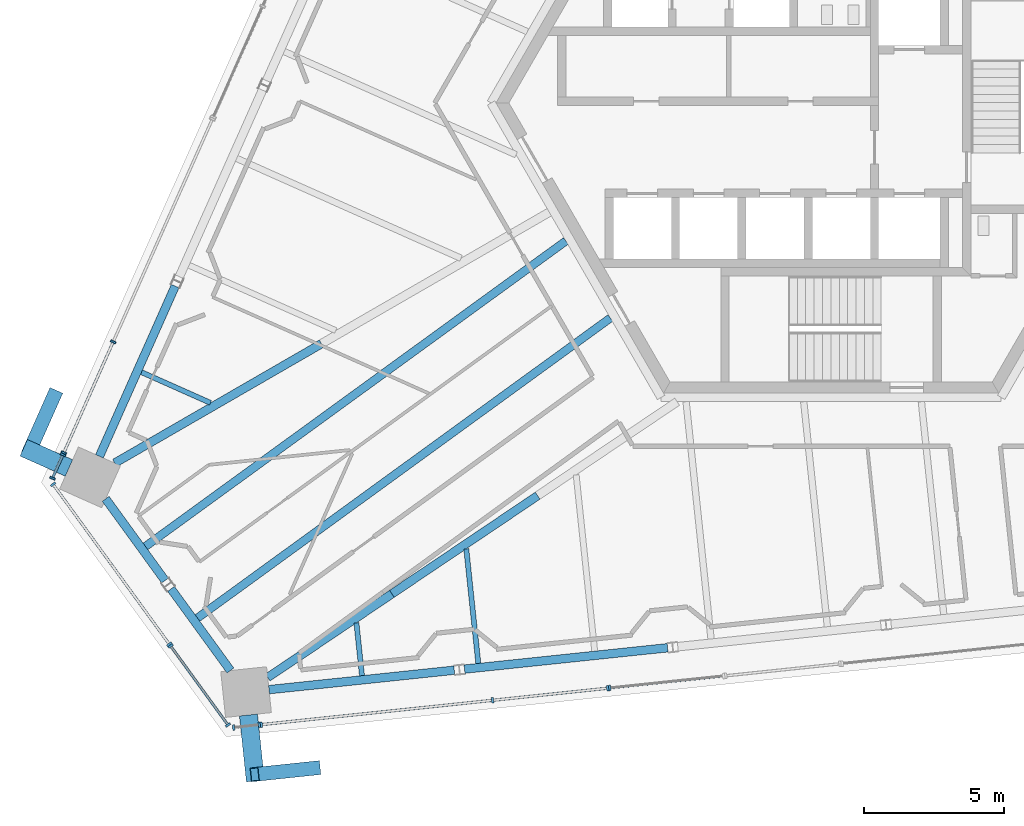
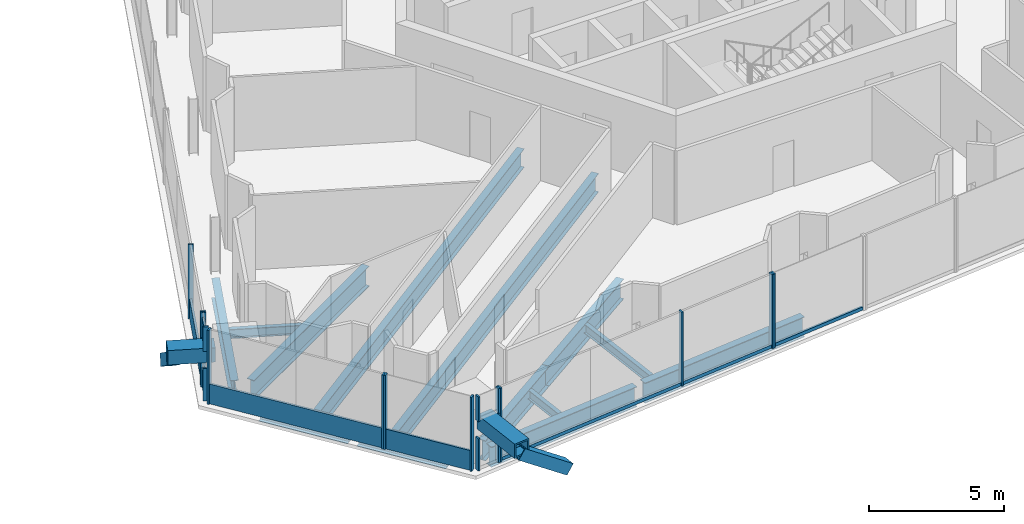
# One storey, part 4 of 26: 30 members, 13 beams, 9 elements without a shape of their own.
"""IFC4 building model written with IfcOpenShell, lengths in metres."""

from ifc_helpers import new_model, si_unit, direction, frame, origin, origin_2d, place, context, subcontext, project, spatial, rectangle, hollow_rectangle, i_section, extrude, source, transform, mapped, material, material_profile, profile_set, type_object, element, aggregate, save


model = new_model("IFC4")

# Units and contexts
model_context = context("Model", 3, precision=1e-05, world=origin(), true_north=direction((0.0, 1.0)))
body_context = subcontext(model_context, "Body", "Model", "MODEL_VIEW")
ifc_project = project(units=[si_unit("LENGTHUNIT", "METRE"), si_unit("AREAUNIT", "SQUARE_METRE"), si_unit("VOLUMEUNIT", "CUBIC_METRE"), si_unit("PLANEANGLEUNIT", "RADIAN"), si_unit("MASSUNIT", "GRAM", prefix="KILO")], contexts=[model_context])

# Site, building, storey
site_placement = place(None, origin())
site = spatial("IfcSite", under=ifc_project, at=site_placement, CompositionType="ELEMENT")
building_placement = place(site_placement, origin())
building = spatial("IfcBuilding", under=site, at=building_placement, Name="Triune Harvest Tower", CompositionType="ELEMENT")
storey_placement = place(building_placement, frame((0.0, 0.0, 252.10009765625)))
storey = spatial("IfcBuildingStorey", under=building, at=storey_placement, Name="L66", CompositionType="ELEMENT", Elevation=252.10009765625)

# Member
ifc_material_1 = material(Name="Steel ASTM A572 Gr 50", Category="steel")
ifc_material_profile_1 = material_profile(ifc_material_1, hollow_rectangle(XDim=0.5, YDim=0.5, WallThickness=0.030029296875, at=origin_2d()), Name="Box 500x500x30")
ifc_profile_set_1 = profile_set([ifc_material_profile_1], Name="Steel ASTM A572 Gr 50")
member_type_1 = type_object("IfcMemberType", Name="BR-3 Brace Box 500x500x30", PredefinedType="BRACE", material=ifc_profile_set_1)
member_1_placement = place(storey_placement, frame((-27.796875, -10.425048828125, 0.0), z_axis=(-0.330411003582, -0.741988188479, 0.5833370354), x_axis=(0.913519572994, -0.40679477597, 0.0)))
element("IfcMember", 1, at=member_1_placement, inside=storey, type_object=member_type_1, Name="brace/B6-F3/d1/10", PredefinedType="BRACE", context=body_context, shape_type="SweptSolid", body=[
    extrude(hollow_rectangle(XDim=0.5, YDim=0.5, WallThickness=0.030029296875, at=origin_2d()), origin(), (0.0, 0.0, 1.0), 2.71923828125),
])

# Curtain wall, members
ifc_material_2 = material(Name="Aluminium bronze anodised", Category="aluminium")
curtain_wall_type_1 = type_object("IfcCurtainWallType", Name="CW-10 Balcony window wall with insulated spandrel infill", PredefinedType="NOTDEFINED", material=ifc_material_2)
curtain_wall_1_placement = place(storey_placement, origin())
curtain_wall_1 = element("IfcCurtainWall", 2, at=curtain_wall_1_placement, inside=storey, type_object=curtain_wall_type_1, Name="CW-10 B6-F5 L66 run 201")
ifc_material_3 = material(Name="Aluminium bronze anodised", Category="aluminium")
ifc_material_profile_2 = material_profile(ifc_material_3, rectangle(XDim=0.090087890625, YDim=0.14990234375, at=origin_2d()), Name="TR-6 transom 90 x 150")
ifc_profile_set_2 = profile_set([ifc_material_profile_2], Name="Aluminium bronze anodised")
member_type_2 = type_object("IfcMemberType", Name="TR-6 transom 90 x 150", PredefinedType="USERDEFINED", material=ifc_profile_set_2)
member_2_placement = place(storey_placement, frame((-20.36376953125, -22.25390625, 0.074951171875), z_axis=(0.994520687347, 0.104539956183, 0.0), x_axis=(-0.104539956183, 0.994520687347, 0.0)))
member_2 = element("IfcMember", 3, at=member_2_placement, type_object=member_type_2, Name="CW-10 transom B6-F5 201.1", ObjectType="TRANSOM", PredefinedType="USERDEFINED", context=body_context, shape_type="SweptSolid", body=[
    extrude(rectangle(XDim=0.090087890625, YDim=0.14990234375, at=origin_2d()), origin(), (0.0, 0.0, 1.0), 8.24853515625),
])
member_3_placement = place(storey_placement, frame((-12.085693359375, -21.3837890625, 0.074951171875), z_axis=(0.994526151319, 0.104487962672, 0.0), x_axis=(-0.104487962672, 0.994526151319, 0.0)))
member_3 = element("IfcMember", 4, at=member_3_placement, type_object=member_type_2, Name="CW-10 transom B6-F5 201.2", ObjectType="TRANSOM", PredefinedType="USERDEFINED", context=body_context, shape_type="SweptSolid", body=[
    extrude(rectangle(XDim=0.090087890625, YDim=0.14990234375, at=origin_2d()), origin(), (0.0, 0.0, 1.0), 4.06787109375),
])

# Beams
ifc_material_4 = material(Name="Steel ASTM A992 Gr 50", Category="steel")
ifc_material_profile_3 = material_profile(ifc_material_4, i_section(OverallWidth=0.3046875, OverallDepth=0.914306640625, WebThickness=0.0166015625, FlangeThickness=0.02587890625, at=origin_2d()), Name="W36x160")
ifc_profile_set_3 = profile_set([ifc_material_profile_3], Name="Steel ASTM A992 Gr 50")
beam_type_1 = type_object("IfcBeamType", Name="HG-3 Hip girder W36x160", PredefinedType="BEAM", material=ifc_profile_set_3)
shared_shape_1 = source(origin(), body_context, "Body", "SweptSolid", [
    extrude(i_section(OverallWidth=0.3046875, OverallDepth=0.914306640625, WebThickness=0.0166015625, FlangeThickness=0.02587890625, at=origin_2d()), origin(), (0.0, 0.0, 1.0), 6.293701171875),
])
beam_1_placement = place(storey_placement, frame((-15.72802734375, -17.576904296875, -0.6171875), z_axis=(0.829391075311, 0.558668456416, 0.0), x_axis=(-0.558668456416, 0.829391075311, 0.0)))
element("IfcBeam", 5, at=beam_1_placement, inside=storey, type_object=beam_type_1, Name="beam/L66/HG8", PredefinedType="BEAM", context=body_context, shape_type="MappedRepresentation", body=[
    mapped(shared_shape_1, transform((0.0, 0.0, 0.0), scale=1.0)),
])
ifc_material_5 = material(Name="Steel ASTM A992 Gr 50", Category="steel")
ifc_material_profile_4 = material_profile(ifc_material_5, i_section(OverallWidth=0.3046875, OverallDepth=0.914306640625, WebThickness=0.0166015625, FlangeThickness=0.02587890625, at=origin_2d()), Name="W36x160")
ifc_profile_set_4 = profile_set([ifc_material_profile_4], Name="Steel ASTM A992 Gr 50")
beam_type_2 = type_object("IfcBeamType", Name="SB-1 Spandrel beam W36x160", PredefinedType="SPANDREL", material=ifc_profile_set_4)
shared_shape_2 = source(origin(), body_context, "Body", "SweptSolid", [
    extrude(i_section(OverallWidth=0.3046875, OverallDepth=0.914306640625, WebThickness=0.0166015625, FlangeThickness=0.02587890625, at=origin_2d()), origin(), (0.0, 0.0, 1.0), 6.67041015625),
])
beam_2_placement = place(storey_placement, frame((-20.127685546875, -21.007080078125, -0.6171875), z_axis=(0.994521485501, 0.104532362822, 0.0), x_axis=(-0.104532362822, 0.994521485501, 0.0)))
element("IfcBeam", 6, at=beam_2_placement, inside=storey, type_object=beam_type_2, Name="beam/L66/SB17", PredefinedType="SPANDREL", context=body_context, shape_type="MappedRepresentation", body=[
    mapped(shared_shape_2, transform((0.0, 0.0, 0.0), scale=1.0)),
])
shared_shape_3 = source(origin(), body_context, "Body", "SweptSolid", [
    extrude(i_section(OverallWidth=0.3046875, OverallDepth=0.914306640625, WebThickness=0.0166015625, FlangeThickness=0.02587890625, at=origin_2d()), origin(), (0.0, 0.0, 1.0), 7.31103515625),
])
beam_3_placement = place(storey_placement, frame((-13.127685546875, -20.271240234375, -0.6171875), z_axis=(0.994522639393, 0.104521384101, 0.0), x_axis=(-0.104521384101, 0.994522639393, 0.0)))
element("IfcBeam", 7, at=beam_3_placement, inside=storey, type_object=beam_type_2, Name="beam/L66/SB18", PredefinedType="SPANDREL", context=body_context, shape_type="MappedRepresentation", body=[
    mapped(shared_shape_3, transform((0.0, 0.0, 0.0), scale=1.0)),
])
shared_shape_4 = source(origin(), body_context, "Body", "SweptSolid", [
    extrude(i_section(OverallWidth=0.3046875, OverallDepth=0.914306640625, WebThickness=0.0166015625, FlangeThickness=0.02587890625, at=origin_2d()), origin(), (0.0, 0.0, 1.0), 3.614990234375),
])
for number, where, z_axis, x_axis, name in (
    (8, (-25.974365234375, -14.175537109375, -0.6171875), (0.587818273033, -0.808993002373, 0.0), (0.808993002373, 0.587818273033, 0.0), "beam/L66/SB15"),
    (9, (-23.633056640625, -17.39794921875, -0.6171875), (0.587818273033, -0.808993002373, 0.0), (0.808993002373, 0.587818273033, 0.0), "beam/L66/SB16"),
):
    element("IfcBeam", number, at=place(storey_placement, frame(where, z_axis=z_axis, x_axis=x_axis)), inside=storey, type_object=beam_type_2, Name=name, PredefinedType="SPANDREL", context=body_context, shape_type="MappedRepresentation", body=[
        mapped(shared_shape_4, transform((0.0, 0.0, 0.0), scale=1.0)),
    ])
shared_shape_5 = source(origin(), body_context, "Body", "SweptSolid", [
    extrude(i_section(OverallWidth=0.3046875, OverallDepth=0.914306640625, WebThickness=0.0166015625, FlangeThickness=0.02587890625, at=origin_2d()), origin(), (0.0, 0.0, 1.0), 6.670166015625),
])
beam_4_placement = place(storey_placement, frame((-23.485595703125, -6.5576171875, -0.6171875), z_axis=(-0.406722507275, -0.913551751176, 0.0), x_axis=(0.913551751176, -0.406722507275, 0.0)))
element("IfcBeam", 10, at=beam_4_placement, inside=storey, type_object=beam_type_2, Name="beam/L66/SB14", PredefinedType="SPANDREL", context=body_context, shape_type="MappedRepresentation", body=[
    mapped(shared_shape_5, transform((0.0, 0.0, 0.0), scale=1.0)),
])
shared_shape_6 = source(origin(), body_context, "Body", "SweptSolid", [
    extrude(i_section(OverallWidth=0.3046875, OverallDepth=0.914306640625, WebThickness=0.0166015625, FlangeThickness=0.02587890625, at=origin_2d()), origin(), (0.0, 0.0, 1.0), 8.548583984375),
])
beam_5_placement = place(storey_placement, frame((-25.651123046875, -12.89501953125, -0.6171875), z_axis=(0.866020080793, 0.500009219579, 0.0), x_axis=(-0.500009219579, 0.866020080793, 0.0)))
element("IfcBeam", 11, at=beam_5_placement, inside=storey, type_object=beam_type_1, Name="beam/L66/HG5", PredefinedType="BEAM", context=body_context, shape_type="MappedRepresentation", body=[
    mapped(shared_shape_6, transform((0.0, 0.0, 0.0), scale=1.0)),
])
shared_shape_7 = source(origin(), body_context, "Body", "SweptSolid", [
    extrude(i_section(OverallWidth=0.3046875, OverallDepth=0.914306640625, WebThickness=0.0166015625, FlangeThickness=0.02587890625, at=origin_2d()), origin(), (0.0, 0.0, 1.0), 5.35986328125),
])
beam_6_placement = place(storey_placement, frame((-20.173583984375, -20.5712890625, -0.6171875), z_axis=(0.829399024376, 0.558656655169, 0.0), x_axis=(-0.558656655169, 0.829399024376, 0.0)))
element("IfcBeam", 12, at=beam_6_placement, inside=storey, type_object=beam_type_1, Name="beam/L66/HG7", PredefinedType="BEAM", context=body_context, shape_type="MappedRepresentation", body=[
    mapped(shared_shape_7, transform((0.0, 0.0, 0.0), scale=1.0)),
])
ifc_material_6 = material(Name="Steel ASTM A992 Gr 50", Category="steel")
ifc_material_profile_5 = material_profile(ifc_material_6, i_section(OverallWidth=0.2919921875, OverallDepth=0.8408203125, WebThickness=0.0146484375, FlangeThickness=0.021728515625, at=origin_2d()), Name="W33x130")
ifc_profile_set_5 = profile_set([ifc_material_profile_5], Name="Steel ASTM A992 Gr 50")
beam_type_3 = type_object("IfcBeamType", Name="JT-6 Floor joist W33x130", PredefinedType="JOIST", material=ifc_profile_set_5)
shared_shape_8 = source(origin(), body_context, "Body", "SweptSolid", [
    extrude(i_section(OverallWidth=0.2919921875, OverallDepth=0.8408203125, WebThickness=0.0146484375, FlangeThickness=0.021728515625, at=origin_2d()), origin(), (0.0, 0.0, 1.0), 18.27099609375),
])
beam_7_placement = place(storey_placement, frame((-22.68701171875, -18.44091796875, -0.58056640625), z_axis=(0.809013927609, 0.587789473311, 0.0), x_axis=(-0.587789473311, 0.809013927609, 0.0)))
element("IfcBeam", 13, at=beam_7_placement, inside=storey, type_object=beam_type_3, Name="beam/L66/JT24", PredefinedType="JOIST", context=body_context, shape_type="MappedRepresentation", body=[
    mapped(shared_shape_8, transform((0.0, 0.0, 0.0), scale=1.0)),
])
ifc_material_7 = material(Name="Steel ASTM A992 Gr 50", Category="steel")
ifc_material_profile_6 = material_profile(ifc_material_7, i_section(OverallWidth=0.180908203125, OverallDepth=0.41650390625, WebThickness=0.010986328125, FlangeThickness=0.01806640625, at=origin_2d()), Name="W16x57")
ifc_profile_set_6 = profile_set([ifc_material_profile_6], Name="Steel ASTM A992 Gr 50")
beam_type_4 = type_object("IfcBeamType", Name="JT-1 Floor joist W16x57", PredefinedType="JOIST", material=ifc_profile_set_6)
shared_shape_9 = source(origin(), body_context, "Body", "SweptSolid", [
    extrude(i_section(OverallWidth=0.180908203125, OverallDepth=0.41650390625, WebThickness=0.010986328125, FlangeThickness=0.01806640625, at=origin_2d()), origin(), (0.0, 0.0, 1.0), 1.899169921875),
])
beam_8_placement = place(storey_placement, frame((-16.79833984375, -20.50390625, -0.368408203125), z_axis=(-0.104517481806, 0.994523049505, 0.0), x_axis=(-0.994523049505, -0.104517481806, 0.0)))
element("IfcBeam", 14, at=beam_8_placement, inside=storey, type_object=beam_type_4, Name="beam/L66/JT25", PredefinedType="JOIST", context=body_context, shape_type="MappedRepresentation", body=[
    mapped(shared_shape_9, transform((0.0, 0.0, 0.0), scale=1.0)),
])
shared_shape_10 = source(origin(), body_context, "Body", "SweptSolid", [
    extrude(i_section(OverallWidth=0.180908203125, OverallDepth=0.41650390625, WebThickness=0.010986328125, FlangeThickness=0.01806640625, at=origin_2d()), origin(), (0.0, 0.0, 1.0), 4.12255859375),
])
beam_9_placement = place(storey_placement, frame((-12.632568359375, -20.06591796875, -0.368408203125), z_axis=(-0.104521403768, 0.994522637326, 0.0), x_axis=(-0.994522637326, -0.104521403768, 0.0)))
element("IfcBeam", 15, at=beam_9_placement, inside=storey, type_object=beam_type_4, Name="beam/L66/JT26", PredefinedType="JOIST", context=body_context, shape_type="MappedRepresentation", body=[
    mapped(shared_shape_10, transform((0.0, 0.0, 0.0), scale=1.0)),
])
shared_shape_11 = source(origin(), body_context, "Body", "SweptSolid", [
    extrude(i_section(OverallWidth=0.180908203125, OverallDepth=0.41650390625, WebThickness=0.010986328125, FlangeThickness=0.01806640625, at=origin_2d()), origin(), (0.0, 0.0, 1.0), 2.702392578125),
])
beam_10_placement = place(storey_placement, frame((-24.691162109375, -9.64013671875, -0.368408203125), z_axis=(0.913550575703, -0.406725147529, 0.0), x_axis=(0.406725147529, 0.913550575703, 0.0)))
element("IfcBeam", 16, at=beam_10_placement, inside=storey, type_object=beam_type_4, Name="beam/L66/JT22", PredefinedType="JOIST", context=body_context, shape_type="MappedRepresentation", body=[
    mapped(shared_shape_11, transform((0.0, 0.0, 0.0), scale=1.0)),
])
shared_shape_12 = source(origin(), body_context, "Body", "SweptSolid", [
    extrude(i_section(OverallWidth=0.2919921875, OverallDepth=0.8408203125, WebThickness=0.0146484375, FlangeThickness=0.021728515625, at=origin_2d()), origin(), (0.0, 0.0, 1.0), 18.603515625),
])
beam_11_placement = place(storey_placement, frame((-24.548828125, -15.8779296875, -0.58056640625), z_axis=(0.809011797406, 0.58779240524, 0.0), x_axis=(-0.58779240524, 0.809011797406, 0.0)))
element("IfcBeam", 17, at=beam_11_placement, inside=storey, type_object=beam_type_3, Name="beam/L66/JT23", PredefinedType="JOIST", context=body_context, shape_type="MappedRepresentation", body=[
    mapped(shared_shape_12, transform((0.0, 0.0, 0.0), scale=1.0)),
])

# Members
ifc_material_8 = material(Name="Steel ASTM A572 Gr 50", Category="steel")
ifc_material_profile_7 = material_profile(ifc_material_8, hollow_rectangle(XDim=0.64990234375, YDim=0.64990234375, WallThickness=0.070068359375, at=origin_2d()), Name="Box 650x650x70")
ifc_profile_set_7 = profile_set([ifc_material_profile_7], Name="Steel ASTM A572 Gr 50")
member_type_3 = type_object("IfcMemberType", Name="BS-1 Brace stub Box 650x650x70", PredefinedType="STRUT", material=ifc_profile_set_7)
shared_shape_13 = source(origin(), body_context, "Body", "SweptSolid", [
    extrude(hollow_rectangle(XDim=0.64990234375, YDim=0.64990234375, WallThickness=0.070068359375, at=origin_2d()), origin(), (0.0, 0.0, 1.0), 1.775390625),
])
member_4_placement = place(storey_placement, frame((-27.287841796875, -13.069091796875, 1.849853515625), z_axis=(-0.913601621021, 0.406610474617, 0.0), x_axis=(-0.406610474617, -0.913601621021, 0.0)))
element("IfcMember", 18, at=member_4_placement, inside=storey, type_object=member_type_3, Name="brace/B6-F3/stub2", PredefinedType="STRUT", context=body_context, shape_type="MappedRepresentation", body=[
    mapped(shared_shape_13, transform((0.0, 0.0, 0.0), scale=1.0)),
])
shared_shape_14 = source(origin(), body_context, "Body", "SweptSolid", [
    extrude(hollow_rectangle(XDim=0.5, YDim=0.5, WallThickness=0.030029296875, at=origin_2d()), origin(), (0.0, 0.0, 1.0), 2.718994140625),
])
member_5_placement = place(storey_placement, frame((-18.44189453125, -23.8115234375, 0.0), z_axis=(-0.807754107765, -0.084941683631, 0.583367990012), x_axis=(0.104581199224, -0.994516351182, 0.0)))
element("IfcMember", 19, at=member_5_placement, inside=storey, type_object=member_type_1, Name="brace/B6-F5/d2/10", PredefinedType="BRACE", context=body_context, shape_type="MappedRepresentation", body=[
    mapped(shared_shape_14, transform((0.0, 0.0, 0.0), scale=1.0)),
])
shared_shape_15 = source(origin(), body_context, "Body", "SweptSolid", [
    extrude(hollow_rectangle(XDim=0.64990234375, YDim=0.64990234375, WallThickness=0.070068359375, at=origin_2d()), origin(), (0.0, 0.0, 1.0), 2.375244140625),
])
member_6_placement = place(storey_placement, frame((-20.862060546875, -21.913818359375, 1.849853515625), z_axis=(0.104529624173, -0.994521773352, 0.0), x_axis=(0.994521773352, 0.104529624173, 0.0)))
element("IfcMember", 20, at=member_6_placement, inside=storey, type_object=member_type_3, Name="brace/B6-F5/stub4", PredefinedType="STRUT", context=body_context, shape_type="MappedRepresentation", body=[
    mapped(shared_shape_15, transform((0.0, 0.0, 0.0), scale=1.0)),
])

# Curtain wall, members
ifc_material_9 = material(Name="Aluminium bronze anodised", Category="aluminium")
curtain_wall_type_2 = type_object("IfcCurtainWallType", Name="CW-6 Balcony window wall", PredefinedType="NOTDEFINED", material=ifc_material_9)
curtain_wall_2_placement = place(storey_placement, origin())
curtain_wall_2 = element("IfcCurtainWall", 21, at=curtain_wall_2_placement, inside=storey, type_object=curtain_wall_type_2, Name="CW-6 B6-F5 L66 run 101")
ifc_material_10 = material(Name="Aluminium bronze anodised", Category="aluminium")
ifc_material_profile_8 = material_profile(ifc_material_10, rectangle(XDim=0.199951171875, YDim=0.074951171875, at=origin_2d()), Name="MU-6 mullion 75 x 200")
ifc_profile_set_8 = profile_set([ifc_material_profile_8], Name="Aluminium bronze anodised")
member_type_4 = type_object("IfcMemberType", Name="MU-6 mullion 75 x 200", PredefinedType="MULLION", material=ifc_profile_set_8)
shared_shape_16 = source(origin(), body_context, "Body", "SweptSolid", [
    extrude(rectangle(XDim=0.199951171875, YDim=0.074951171875, at=origin_2d()), origin(), (0.0, 0.0, 1.0), 1.114990234375),
])
member_7_placement = place(storey_placement, frame((-21.392333984375, -22.362060546875, 2.23486328125), z_axis=(0.0, 0.0, 1.0), x_axis=(-0.10453855639, 0.994520834487, 0.0)))
member_7 = element("IfcMember", 22, at=member_7_placement, type_object=member_type_4, Name="CW-6 mullion B6-F5 101.1", PredefinedType="MULLION", context=body_context, shape_type="MappedRepresentation", body=[
    mapped(shared_shape_16, transform((0.0, 0.0, 0.0), scale=1.0)),
])
member_8_placement = place(storey_placement, frame((-20.4755859375, -22.265625, 2.23486328125), z_axis=(0.0, 0.0, 1.0), x_axis=(-0.10453855639, 0.994520834487, 0.0)))
member_8 = element("IfcMember", 23, at=member_8_placement, type_object=member_type_4, Name="CW-6 mullion B6-F5 101.2", PredefinedType="MULLION", context=body_context, shape_type="MappedRepresentation", body=[
    mapped(shared_shape_16, transform((0.0, 0.0, 0.0), scale=1.0)),
])
aggregate(curtain_wall_2, [member_7, member_8])

ifc_material_11 = material(Name="Aluminium bronze anodised", Category="aluminium")
curtain_wall_type_3 = type_object("IfcCurtainWallType", Name="CW-1 Tower stick curtain wall", PredefinedType="NOTDEFINED", material=ifc_material_11)
curtain_wall_3_placement = place(storey_placement, origin())
curtain_wall_3 = element("IfcCurtainWall", 24, at=curtain_wall_3_placement, inside=storey, type_object=curtain_wall_type_3, Name="CW-1 B6-F3 L66 run 401")
ifc_material_12 = material(Name="Aluminium bronze anodised", Category="aluminium")
ifc_material_profile_9 = material_profile(ifc_material_12, rectangle(XDim=0.199951171875, YDim=0.074951171875, at=origin_2d()), Name="MU-1 mullion 75 x 200")
ifc_profile_set_9 = profile_set([ifc_material_profile_9], Name="Aluminium bronze anodised")
member_type_5 = type_object("IfcMemberType", Name="MU-1 mullion 75 x 200", PredefinedType="MULLION", material=ifc_profile_set_9)
shared_shape_17 = source(origin(), body_context, "Body", "SweptSolid", [
    extrude(rectangle(XDim=0.199951171875, YDim=0.074951171875, at=origin_2d()), origin(), (0.0, 0.0, 1.0), 1.114990234375),
])
member_9_placement = place(storey_placement, frame((-27.50341796875, -12.593017578125, 2.23486328125), z_axis=(0.0, 0.0, 1.0), x_axis=(0.913554866634, -0.406715509478, 0.0)))
member_9 = element("IfcMember", 25, at=member_9_placement, type_object=member_type_5, Name="CW-1 mullion B6-F3 401.1", PredefinedType="MULLION", context=body_context, shape_type="MappedRepresentation", body=[
    mapped(shared_shape_17, transform((0.0, 0.0, 0.0), scale=1.0)),
])
member_10_placement = place(storey_placement, frame((-27.878173828125, -13.43505859375, 2.23486328125), z_axis=(0.0, 0.0, 1.0), x_axis=(0.913554866634, -0.406715509478, 0.0)))
member_10 = element("IfcMember", 26, at=member_10_placement, type_object=member_type_5, Name="CW-1 mullion B6-F3 401.2", PredefinedType="MULLION", context=body_context, shape_type="MappedRepresentation", body=[
    mapped(shared_shape_17, transform((0.0, 0.0, 0.0), scale=1.0)),
])

ifc_material_13 = material(Name="Aluminium bronze anodised", Category="aluminium")
curtain_wall_type_4 = type_object("IfcCurtainWallType", Name="CW-7 Tower stick curtain wall with insulated spandrel infill", PredefinedType="NOTDEFINED", material=ifc_material_13)
curtain_wall_4_placement = place(storey_placement, origin())
curtain_wall_4 = element("IfcCurtainWall", 27, at=curtain_wall_4_placement, inside=storey, type_object=curtain_wall_type_4, Name="CW-7 B6-F3 L66 run 301")
shared_shape_18 = source(origin(), body_context, "Body", "SweptSolid", [
    extrude(rectangle(XDim=0.199951171875, YDim=0.074951171875, at=origin_2d()), origin(), (0.0, 0.0, 1.0), 1.46484375),
])
member_11_placement = place(storey_placement, frame((-27.50341796875, -12.593017578125, 0.0), z_axis=(0.0, 0.0, 1.0), x_axis=(0.913554866634, -0.406715509478, 0.0)))
member_11 = element("IfcMember", 28, at=member_11_placement, type_object=member_type_5, Name="CW-7 mullion B6-F3 301.1", PredefinedType="MULLION", context=body_context, shape_type="MappedRepresentation", body=[
    mapped(shared_shape_18, transform((0.0, 0.0, 0.0), scale=1.0)),
])
member_12_placement = place(storey_placement, frame((-27.878173828125, -13.43505859375, 0.0), z_axis=(0.0, 0.0, 1.0), x_axis=(0.913554866634, -0.406715509478, 0.0)))
member_12 = element("IfcMember", 29, at=member_12_placement, type_object=member_type_5, Name="CW-7 mullion B6-F3 301.2", PredefinedType="MULLION", context=body_context, shape_type="MappedRepresentation", body=[
    mapped(shared_shape_18, transform((0.0, 0.0, 0.0), scale=1.0)),
])

curtain_wall_5_placement = place(storey_placement, origin())
curtain_wall_5 = element("IfcCurtainWall", 30, at=curtain_wall_5_placement, inside=storey, type_object=curtain_wall_type_4, Name="CW-7 B6-F3 L66 run 4201")
shared_shape_19 = source(origin(), body_context, "Body", "SweptSolid", [
    extrude(rectangle(XDim=0.199951171875, YDim=0.074951171875, at=origin_2d()), origin(), (0.0, 0.0, 1.0), 3.349853515625),
])
member_13_placement = place(storey_placement, frame((-25.704833984375, -8.55322265625, 0.0), z_axis=(0.0, 0.0, 1.0), x_axis=(0.913543931473, -0.406740070891, 0.0)))
member_13 = element("IfcMember", 31, at=member_13_placement, type_object=member_type_5, Name="CW-7 mullion B6-F3 4201.3", PredefinedType="MULLION", context=body_context, shape_type="MappedRepresentation", body=[
    mapped(shared_shape_19, transform((0.0, 0.0, 0.0), scale=1.0)),
])
member_14_placement = place(storey_placement, frame((-27.472900390625, -12.5244140625, 0.0), z_axis=(0.0, 0.0, 1.0), x_axis=(0.913543931473, -0.406740070891, 0.0)))
member_14 = element("IfcMember", 32, at=member_14_placement, type_object=member_type_5, Name="CW-7 mullion B6-F3 4201.4", PredefinedType="MULLION", context=body_context, shape_type="MappedRepresentation", body=[
    mapped(shared_shape_19, transform((0.0, 0.0, 0.0), scale=1.0)),
])

curtain_wall_6_placement = place(storey_placement, origin())
curtain_wall_6 = element("IfcCurtainWall", 33, at=curtain_wall_6_placement, inside=storey, type_object=curtain_wall_type_4, Name="CW-7 B6-F4 L66 run 1")
member_15_placement = place(storey_placement, frame((-27.855224609375, -13.654541015625, 0.0), z_axis=(0.0, 0.0, 1.0), x_axis=(0.80901065057, 0.587793983691, 0.0)))
member_15 = element("IfcMember", 34, at=member_15_placement, type_object=member_type_5, Name="CW-7 mullion B6-F4 1.1", PredefinedType="MULLION", context=body_context, shape_type="MappedRepresentation", body=[
    mapped(shared_shape_19, transform((0.0, 0.0, 0.0), scale=1.0)),
])
member_16_placement = place(storey_placement, frame((-23.69580078125, -19.37939453125, 0.0), z_axis=(0.0, 0.0, 1.0), x_axis=(0.80901065057, 0.587793983691, 0.0)))
member_16 = element("IfcMember", 35, at=member_16_placement, type_object=member_type_5, Name="CW-7 mullion B6-F4 1.3", PredefinedType="MULLION", context=body_context, shape_type="MappedRepresentation", body=[
    mapped(shared_shape_19, transform((0.0, 0.0, 0.0), scale=1.0)),
])

curtain_wall_7_placement = place(storey_placement, origin())
curtain_wall_7 = element("IfcCurtainWall", 36, at=curtain_wall_7_placement, inside=storey, type_object=curtain_wall_type_3, Name="CW-1 B6-F4 L66 run 1001")
member_17_placement = place(storey_placement, frame((-23.651611328125, -19.440185546875, 0.0), z_axis=(0.0, 0.0, 1.0), x_axis=(0.80902165268, 0.587778840632, 0.0)))
member_17 = element("IfcMember", 37, at=member_17_placement, type_object=member_type_5, Name="CW-1 mullion B6-F4 1001.1", PredefinedType="MULLION", context=body_context, shape_type="MappedRepresentation", body=[
    mapped(shared_shape_19, transform((0.0, 0.0, 0.0), scale=1.0)),
])
member_18_placement = place(storey_placement, frame((-21.593994140625, -22.272216796875, 0.0), z_axis=(0.0, 0.0, 1.0), x_axis=(0.80902165268, 0.587778840632, 0.0)))
member_18 = element("IfcMember", 38, at=member_18_placement, type_object=member_type_5, Name="CW-1 mullion B6-F4 1001.2", PredefinedType="MULLION", context=body_context, shape_type="MappedRepresentation", body=[
    mapped(shared_shape_19, transform((0.0, 0.0, 0.0), scale=1.0)),
])

curtain_wall_8_placement = place(storey_placement, origin())
curtain_wall_8 = element("IfcCurtainWall", 39, at=curtain_wall_8_placement, inside=storey, type_object=curtain_wall_type_1, Name="CW-10 B6-F5 L66 run 1")
shared_shape_20 = source(origin(), body_context, "Body", "SweptSolid", [
    extrude(rectangle(XDim=0.199951171875, YDim=0.074951171875, at=origin_2d()), origin(), (0.0, 0.0, 1.0), 1.46484375),
])
member_19_placement = place(storey_placement, frame((-21.392333984375, -22.362060546875, 0.0), z_axis=(0.0, 0.0, 1.0), x_axis=(-0.10453855639, 0.994520834487, 0.0)))
member_19 = element("IfcMember", 40, at=member_19_placement, type_object=member_type_4, Name="CW-10 mullion B6-F5 1.1", PredefinedType="MULLION", context=body_context, shape_type="MappedRepresentation", body=[
    mapped(shared_shape_20, transform((0.0, 0.0, 0.0), scale=1.0)),
])
member_20_placement = place(storey_placement, frame((-20.4755859375, -22.265625, 0.0), z_axis=(0.0, 0.0, 1.0), x_axis=(-0.10453855639, 0.994520834487, 0.0)))
member_20 = element("IfcMember", 41, at=member_20_placement, type_object=member_type_4, Name="CW-10 mullion B6-F5 1.2", PredefinedType="MULLION", context=body_context, shape_type="MappedRepresentation", body=[
    mapped(shared_shape_20, transform((0.0, 0.0, 0.0), scale=1.0)),
])
aggregate(curtain_wall_8, [member_19, member_20])

# Member
shared_shape_21 = source(origin(), body_context, "Body", "SweptSolid", [
    extrude(rectangle(XDim=0.199951171875, YDim=0.074951171875, at=origin_2d()), origin(), (0.0, 0.0, 1.0), 3.349853515625),
])
member_21_placement = place(storey_placement, frame((-20.401123046875, -22.2578125, 0.0), z_axis=(0.0, 0.0, 1.0), x_axis=(-0.104532042404, 0.994521519179, 0.0)))
member_21 = element("IfcMember", 42, at=member_21_placement, type_object=member_type_4, Name="CW-10 mullion B6-F5 201.1", PredefinedType="MULLION", context=body_context, shape_type="MappedRepresentation", body=[
    mapped(shared_shape_21, transform((0.0, 0.0, 0.0), scale=1.0)),
])

member_22_placement = place(storey_placement, frame((-12.123046875, -21.3876953125, 0.0), z_axis=(0.0, 0.0, 1.0), x_axis=(-0.104532042404, 0.994521519179, 0.0)))
member_22 = element("IfcMember", 43, at=member_22_placement, type_object=member_type_4, Name="CW-10 mullion B6-F5 201.3", PredefinedType="MULLION", context=body_context, shape_type="MappedRepresentation", body=[
    mapped(shared_shape_21, transform((0.0, 0.0, 0.0), scale=1.0)),
])

member_23_placement = place(storey_placement, frame((-8.002685546875, -20.954833984375, 0.0), z_axis=(0.0, 0.0, 1.0), x_axis=(-0.104532042404, 0.994521519179, 0.0)))
member_23 = element("IfcMember", 44, at=member_23_placement, type_object=member_type_4, Name="CW-10 mullion B6-F5 201.4", PredefinedType="MULLION", context=body_context, shape_type="MappedRepresentation", body=[
    mapped(shared_shape_21, transform((0.0, 0.0, 0.0), scale=1.0)),
])

aggregate(curtain_wall_1, [member_21, member_22, member_23, member_2, member_3])

# Curtain wall, member
curtain_wall_9_placement = place(storey_placement, origin())
curtain_wall_9 = element("IfcCurtainWall", 45, at=curtain_wall_9_placement, inside=storey, type_object=curtain_wall_type_2, Name="CW-6 B6-F5 L66 run 1201")
member_24_placement = place(storey_placement, frame((-7.92822265625, -20.94677734375, 0.0), z_axis=(0.0, 0.0, 1.0), x_axis=(-0.104532871319, 0.994521432054, 0.0)))
member_24 = element("IfcMember", 46, at=member_24_placement, type_object=member_type_4, Name="CW-6 mullion B6-F5 1201.1", PredefinedType="MULLION", context=body_context, shape_type="MappedRepresentation", body=[
    mapped(shared_shape_21, transform((0.0, 0.0, 0.0), scale=1.0)),
])

# Member
ifc_material_14 = material(Name="Aluminium bronze anodised", Category="aluminium")
ifc_material_profile_10 = material_profile(ifc_material_14, rectangle(XDim=0.090087890625, YDim=0.89990234375, at=origin_2d()), Name="TR-1 transom 90 x 900")
ifc_profile_set_10 = profile_set([ifc_material_profile_10], Name="Aluminium bronze anodised")
member_type_6 = type_object("IfcMemberType", Name="TR-1 transom 90 x 900", PredefinedType="USERDEFINED", material=ifc_profile_set_10)
shared_shape_22 = source(origin(), body_context, "Body", "SweptSolid", [
    extrude(rectangle(XDim=0.090087890625, YDim=0.89990234375, at=origin_2d()), origin(), (0.0, 0.0, 1.0), 0.846923828125),
])
member_25_placement = place(storey_placement, frame((-27.5185546875, -12.627197265625, 0.449951171875), z_axis=(-0.40675355508, -0.913537927746, 0.0), x_axis=(0.913537927746, -0.40675355508, 0.0)))
member_25 = element("IfcMember", 47, at=member_25_placement, type_object=member_type_6, Name="CW-7 transom B6-F3 301.1", ObjectType="TRANSOM", PredefinedType="USERDEFINED", context=body_context, shape_type="MappedRepresentation", body=[
    mapped(shared_shape_22, transform((0.0, 0.0, 0.0), scale=1.0)),
])

aggregate(curtain_wall_4, [member_11, member_12, member_25])

member_26_placement = place(storey_placement, frame((-27.5185546875, -12.627197265625, 2.684814453125), z_axis=(-0.40675355508, -0.913537927746, 0.0), x_axis=(0.913537927746, -0.40675355508, 0.0)))
member_26 = element("IfcMember", 48, at=member_26_placement, type_object=member_type_6, Name="CW-1 transom B6-F3 401.1", ObjectType="TRANSOM", PredefinedType="USERDEFINED", context=body_context, shape_type="MappedRepresentation", body=[
    mapped(shared_shape_22, transform((0.0, 0.0, 0.0), scale=1.0)),
])

aggregate(curtain_wall_3, [member_9, member_10, member_26])

shared_shape_23 = source(origin(), body_context, "Body", "SweptSolid", [
    extrude(rectangle(XDim=0.090087890625, YDim=0.89990234375, at=origin_2d()), origin(), (0.0, 0.0, 1.0), 4.272216796875),
])
member_27_placement = place(storey_placement, frame((-25.719970703125, -8.58740234375, 0.449951171875), z_axis=(-0.406716337029, -0.913554498207, 0.0), x_axis=(0.913554498207, -0.406716337029, 0.0)))
member_27 = element("IfcMember", 49, at=member_27_placement, type_object=member_type_6, Name="CW-7 transom B6-F3 4201.2", ObjectType="TRANSOM", PredefinedType="USERDEFINED", context=body_context, shape_type="MappedRepresentation", body=[
    mapped(shared_shape_23, transform((0.0, 0.0, 0.0), scale=1.0)),
])

aggregate(curtain_wall_5, [member_13, member_14, member_27])

shared_shape_24 = source(origin(), body_context, "Body", "SweptSolid", [
    extrude(rectangle(XDim=0.090087890625, YDim=0.89990234375, at=origin_2d()), origin(), (0.0, 0.0, 1.0), 7.001220703125),
])
member_28_placement = place(storey_placement, frame((-27.8330078125, -13.68505859375, 0.449951171875), z_axis=(0.587790121691, -0.809013456528, 0.0), x_axis=(0.809013456528, 0.587790121691, 0.0)))
member_28 = element("IfcMember", 50, at=member_28_placement, type_object=member_type_6, Name="CW-7 transom B6-F4 1.1", ObjectType="TRANSOM", PredefinedType="USERDEFINED", context=body_context, shape_type="MappedRepresentation", body=[
    mapped(shared_shape_24, transform((0.0, 0.0, 0.0), scale=1.0)),
])

aggregate(curtain_wall_6, [member_15, member_16, member_28])

shared_shape_25 = source(origin(), body_context, "Body", "SweptSolid", [
    extrude(rectangle(XDim=0.090087890625, YDim=0.89990234375, at=origin_2d()), origin(), (0.0, 0.0, 1.0), 3.42578125),
])
member_29_placement = place(storey_placement, frame((-23.629638671875, -19.470458984375, 0.449951171875), z_axis=(0.58779874267, -0.80900719287, 0.0), x_axis=(0.80900719287, 0.58779874267, 0.0)))
member_29 = element("IfcMember", 51, at=member_29_placement, type_object=member_type_6, Name="CW-1 transom B6-F4 1001.1", ObjectType="TRANSOM", PredefinedType="USERDEFINED", context=body_context, shape_type="MappedRepresentation", body=[
    mapped(shared_shape_25, transform((0.0, 0.0, 0.0), scale=1.0)),
])

aggregate(curtain_wall_7, [member_17, member_18, member_29])

shared_shape_26 = source(origin(), body_context, "Body", "SweptSolid", [
    extrude(rectangle(XDim=0.090087890625, YDim=0.14990234375, at=origin_2d()), origin(), (0.0, 0.0, 1.0), 4.030517578125),
])
member_30_placement = place(storey_placement, frame((-7.890869140625, -20.94287109375, 0.074951171875), z_axis=(0.994526342757, 0.104486140524, 0.0), x_axis=(-0.104486140524, 0.994526342757, 0.0)))
member_30 = element("IfcMember", 52, at=member_30_placement, type_object=member_type_2, Name="CW-6 transom B6-F5 1201.1", ObjectType="TRANSOM", PredefinedType="USERDEFINED", context=body_context, shape_type="MappedRepresentation", body=[
    mapped(shared_shape_26, transform((0.0, 0.0, 0.0), scale=1.0)),
])

aggregate(curtain_wall_9, [member_24, member_30])

save(model, "model.ifc")
